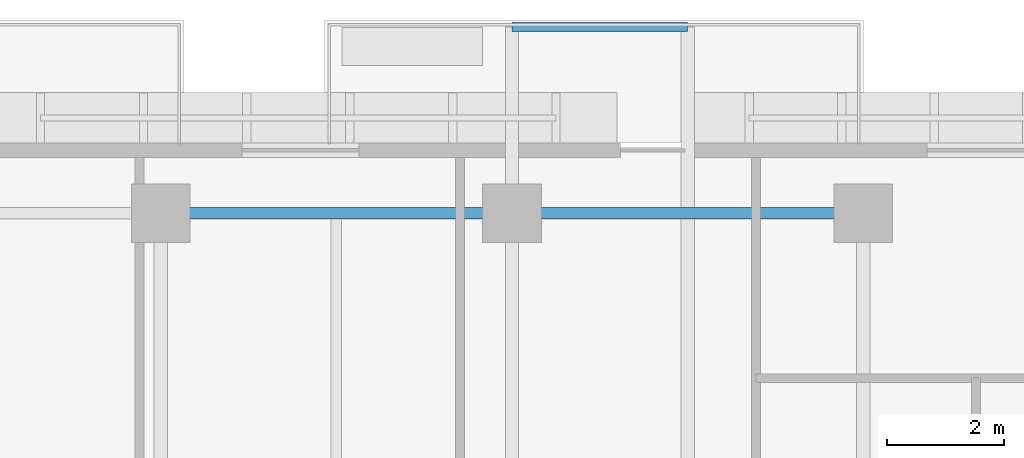
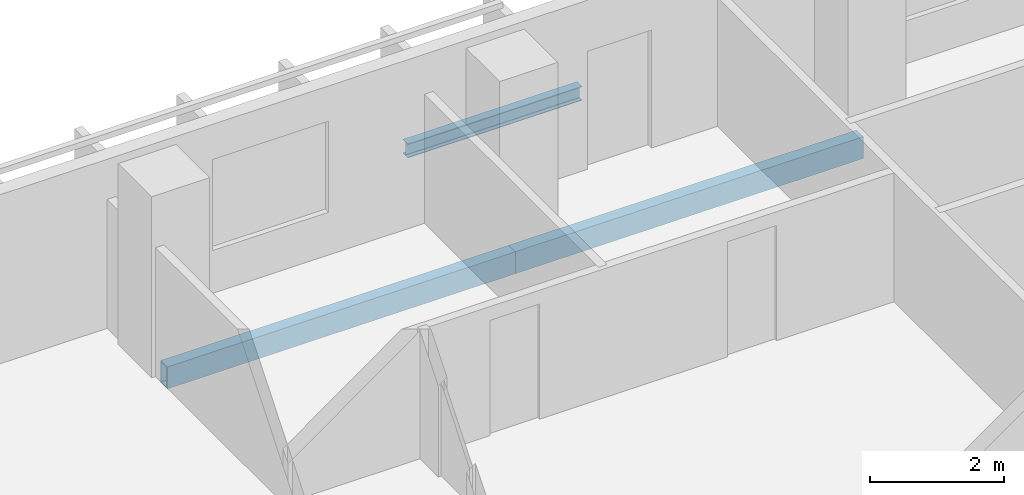
# One storey, part 20 of 35: 3 beams.
"""IFC4 building model written with IfcOpenShell, lengths in metres."""

from ifc_helpers import new_model, si_unit, direction, frame, origin, origin_2d, place, context, subcontext, project, spatial, hollow_rectangle, i_section, extrude, material, material_profile, profile_set, type_object, element, save


model = new_model("IFC4")

# Units and contexts
model_context = context("Model", 3, precision=1e-05, world=origin(), true_north=direction((0.0, 1.0)))
body_context = subcontext(model_context, "Body", "Model", "MODEL_VIEW")
ifc_project = project(units=[si_unit("LENGTHUNIT", "METRE"), si_unit("AREAUNIT", "SQUARE_METRE"), si_unit("VOLUMEUNIT", "CUBIC_METRE"), si_unit("PLANEANGLEUNIT", "RADIAN"), si_unit("MASSUNIT", "GRAM", prefix="KILO")], contexts=[model_context])

# Site, building, storey
site_placement = place(None, origin())
site = spatial("IfcSite", under=ifc_project, at=site_placement, CompositionType="ELEMENT")
building_placement = place(site_placement, origin())
building = spatial("IfcBuilding", under=site, at=building_placement, Name="Tanjung Sevakor Pilgrim Tower", CompositionType="ELEMENT")
storey_placement = place(building_placement, frame((0.0, 0.0, 92.070068359375)))
storey = spatial("IfcBuildingStorey", under=building, at=storey_placement, Name="L25", CompositionType="ELEMENT", Elevation=92.070068359375)

# Beams
ifc_material_1 = material(Name="Steel S355J2", Category="steel")
ifc_material_profile_1 = material_profile(ifc_material_1, i_section(OverallWidth=0.146484375, OverallDepth=0.256103515625, WebThickness=0.00634765625, FlangeThickness=0.010986328125, FilletRadius=0.007568359375, at=origin_2d()))
ifc_profile_set_1 = profile_set([ifc_material_profile_1], Name="Steel S355J2")
beam_type_1 = type_object("IfcBeamType", Name="BM-B-J6-UB_254x146x37", PredefinedType="JOIST", material=ifc_profile_set_1)
beam_placement = place(storey_placement, frame((84.0, 59.580078125, -0.328125), z_axis=(1.0, 0.0, 0.0), x_axis=(0.0, 1.0, 0.0)))
element("IfcBeam", 1, at=beam_placement, inside=storey, type_object=beam_type_1, Name="L25 Balcony Rim Tie MAIN-N4", PredefinedType="JOIST", context=body_context, shape_type="SweptSolid", body=[
    extrude(i_section(OverallWidth=0.146484375, OverallDepth=0.256103515625, WebThickness=0.00634765625, FlangeThickness=0.010986328125, FilletRadius=0.007568359375, at=origin_2d()), origin(), (0.0, 0.0, 1.0), 3.0),
])
ifc_material_2 = material(Name="Steel S355J2", Category="steel")
ifc_material_profile_2 = material_profile(ifc_material_2, hollow_rectangle(XDim=0.199951171875, YDim=0.39990234375, WallThickness=0.01611328125, at=origin_2d()))
ifc_profile_set_2 = profile_set([ifc_material_profile_2], Name="Steel S355J2")
beam_type_2 = type_object("IfcBeamType", Name="BM-B-SP2-RHS_400x200x16", PredefinedType="SPANDREL", material=ifc_profile_set_2)
for number, where, z_axis, x_axis, name in (
    (2, (78.0, 56.39990234375, -0.420166015625), (1.0, 0.0, 0.0), (0.0, 1.0, 0.0), "L25 Spandrel MAIN N-16"),
    (3, (84.0, 56.39990234375, -0.420166015625), (1.0, 0.0, 0.0), (0.0, 1.0, 0.0), "L25 Spandrel MAIN N-18"),
):
    element("IfcBeam", number, at=place(storey_placement, frame(where, z_axis=z_axis, x_axis=x_axis)), inside=storey, type_object=beam_type_2, Name=name, PredefinedType="SPANDREL", context=body_context, shape_type="SweptSolid", body=[
        extrude(hollow_rectangle(XDim=0.199951171875, YDim=0.39990234375, WallThickness=0.01611328125, at=origin_2d()), origin(), (0.0, 0.0, 1.0), 6.0),
    ])

save(model, "model.ifc")
